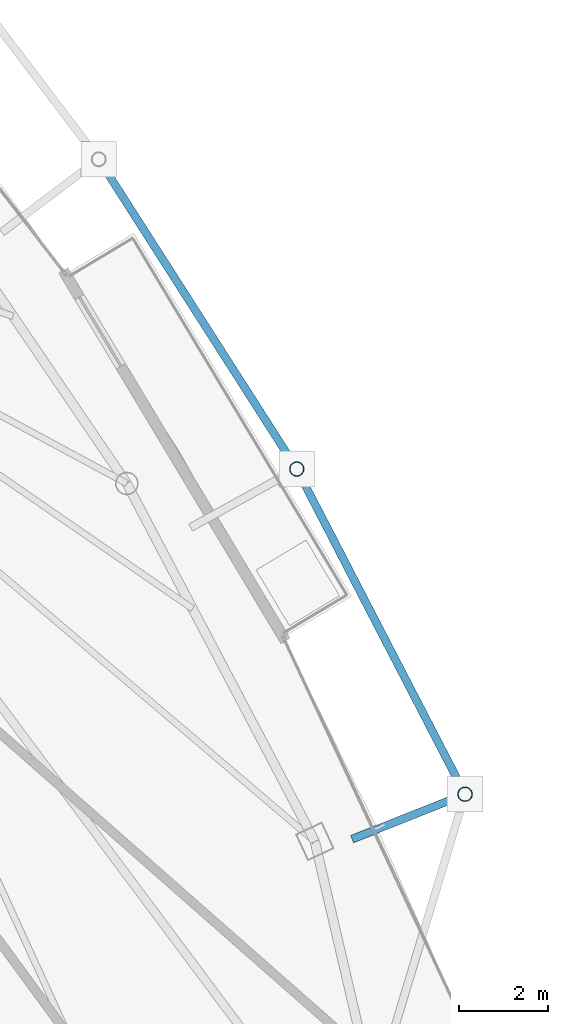
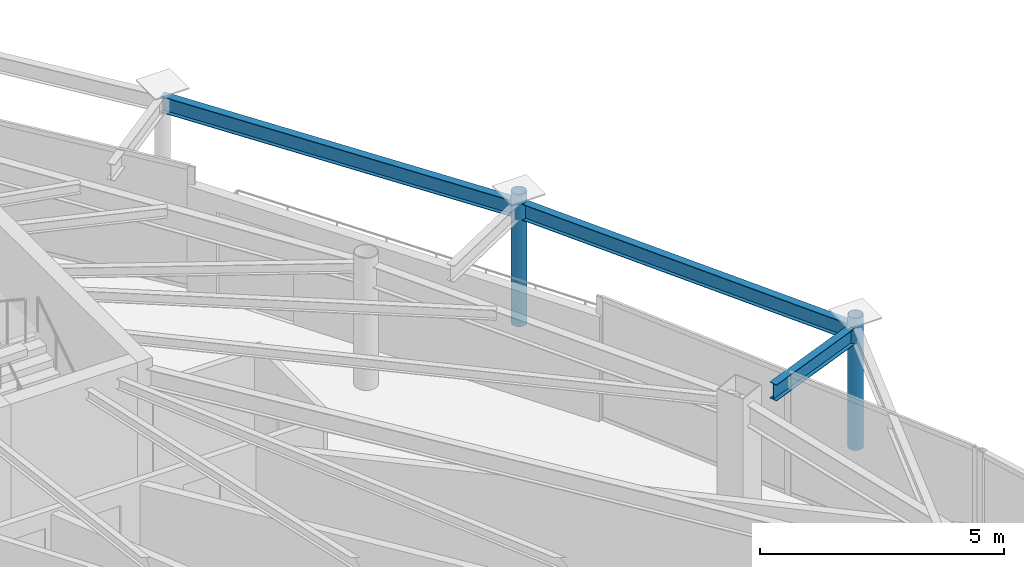
# One storey, part 18 of 28: 3 beams, 2 members.
"""IFC4 building model written with IfcOpenShell, lengths in metres."""

from ifc_helpers import new_model, si_unit, direction, frame, origin, origin_2d, place, context, subcontext, project, spatial, hollow_circle, i_section, extrude, material, material_profile, profile_set, type_object, element, save


model = new_model("IFC4")

# Units and contexts
model_context = context("Model", 3, precision=1e-05, world=origin(), true_north=direction((0.0, 1.0)))
body_context = subcontext(model_context, "Body", "Model", "MODEL_VIEW")
ifc_project = project(units=[si_unit("LENGTHUNIT", "METRE"), si_unit("AREAUNIT", "SQUARE_METRE"), si_unit("VOLUMEUNIT", "CUBIC_METRE"), si_unit("PLANEANGLEUNIT", "RADIAN"), si_unit("MASSUNIT", "GRAM", prefix="KILO")], contexts=[model_context])

# Site, building, storey
site_placement = place(None, origin())
site = spatial("IfcSite", under=ifc_project, at=site_placement, CompositionType="ELEMENT")
building_placement = place(site_placement, origin())
building = spatial("IfcBuilding", under=site, at=building_placement, Name="Orvanel Arch Residences", CompositionType="ELEMENT")
storey_placement = place(building_placement, frame((0.0, 0.0, 266.75)))
storey = spatial("IfcBuildingStorey", under=building, at=storey_placement, Name="L76", CompositionType="ELEMENT", Elevation=266.75)

# Beams
ifc_material_1 = material(Name="Structural steel AS/NZS 3679.1 Grade 300 (300 MPa)", Category="steel")
ifc_material_profile_1 = material_profile(ifc_material_1, i_section(OverallWidth=0.177978515625, OverallDepth=0.406005859375, WebThickness=0.0078125, FlangeThickness=0.0126953125, at=origin_2d()), Name="410UB59.7")
ifc_profile_set_1 = profile_set([ifc_material_profile_1], Name="Structural steel AS/NZS 3679.1 Grade 300 (300 MPa)")
beam_type = type_object("IfcBeamType", Name="OB-410UB-EXT", PredefinedType="SPANDREL", material=ifc_profile_set_1)
beam_1_placement = place(storey_placement, frame((50.465087890625, 19.69091796875, 2.85693359375), z_axis=(0.929261293326, 0.369423129659, 0.0), x_axis=(-0.369423129659, 0.929261293326, 0.0)))
element("IfcBeam", 1, at=beam_1_placement, inside=storey, type_object=beam_type, Name="L76 Outer Frame Radial Tie Beam 09", PredefinedType="SPANDREL", context=body_context, shape_type="SweptSolid", body=[
    extrude(i_section(OverallWidth=0.177978515625, OverallDepth=0.406005859375, WebThickness=0.0078125, FlangeThickness=0.0126953125, at=origin_2d()), origin(), (0.0, 0.0, 1.0), 2.71826171875),
])
beam_2_placement = place(storey_placement, frame((52.990966796875, 20.695068359375, 2.85693359375), z_axis=(-0.459532469587, 0.88816097043, 0.0), x_axis=(-0.88816097043, -0.459532469587, 0.0)))
element("IfcBeam", 2, at=beam_2_placement, inside=storey, type_object=beam_type, Name="L76 Outer Perimeter Floor Ring Beam 09", PredefinedType="SPANDREL", context=body_context, shape_type="SweptSolid", body=[
    extrude(i_section(OverallWidth=0.177978515625, OverallDepth=0.406005859375, WebThickness=0.0078125, FlangeThickness=0.0126953125, at=origin_2d()), origin(), (0.0, 0.0, 1.0), 8.184326171875),
])
beam_3_placement = place(storey_placement, frame((49.22998046875, 27.964111328125, 2.85693359375), z_axis=(-0.538686937539, 0.842506013821, 0.0), x_axis=(-0.842506013821, -0.538686937539, 0.0)))
element("IfcBeam", 3, at=beam_3_placement, inside=storey, type_object=beam_type, Name="L76 Outer Perimeter Floor Ring Beam 10", PredefinedType="SPANDREL", context=body_context, shape_type="SweptSolid", body=[
    extrude(i_section(OverallWidth=0.177978515625, OverallDepth=0.406005859375, WebThickness=0.0078125, FlangeThickness=0.0126953125, at=origin_2d()), origin(), (0.0, 0.0, 1.0), 8.218017578125),
])

# Members
ifc_material_2 = material(Name="Structural steel AS/NZS 1163 C350L0 (Grade 350)", Category="steel")
ifc_material_profile_2 = material_profile(ifc_material_2, hollow_circle(Radius=0.162109375, WallThickness=0.0126953125, at=origin_2d()), Name="CHS324x12.7")
ifc_profile_set_2 = profile_set([ifc_material_profile_2], Name="Structural steel AS/NZS 1163 C350L0 (Grade 350)")
member_type = type_object("IfcMemberType", Name="ST-324CHS-EXT", PredefinedType="STRUT", material=ifc_profile_set_2)
for number, where, z_axis, x_axis, name in (
    (4, (52.990966796875, 20.695068359375, 0.0), (0.0, 0.0, 1.0), (1.0, 0.0, 0.0), "L76 Outer Perimeter Frame Post 09"),
    (5, (49.22998046875, 27.964111328125, 0.0), (0.0, 0.0, 1.0), (1.0, 0.0, 0.0), "L76 Outer Perimeter Frame Post 10"),
):
    element("IfcMember", number, at=place(storey_placement, frame(where, z_axis=z_axis, x_axis=x_axis)), inside=storey, type_object=member_type, Name=name, PredefinedType="STRUT", context=body_context, shape_type="SweptSolid", body=[
        extrude(hollow_circle(Radius=0.162109375, WallThickness=0.0126953125, at=origin_2d()), origin(), (0.0, 0.0, 1.0), 3.300048828125),
    ])

save(model, "model.ifc")
